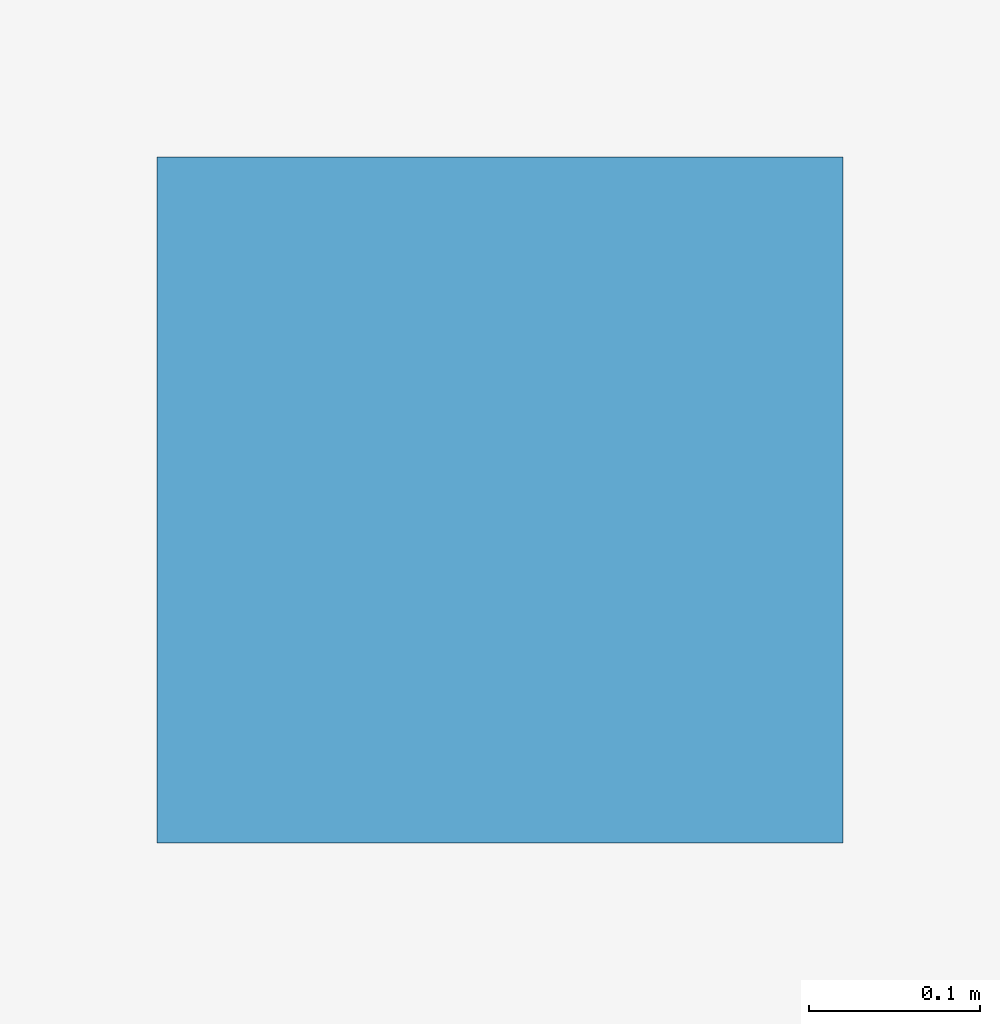
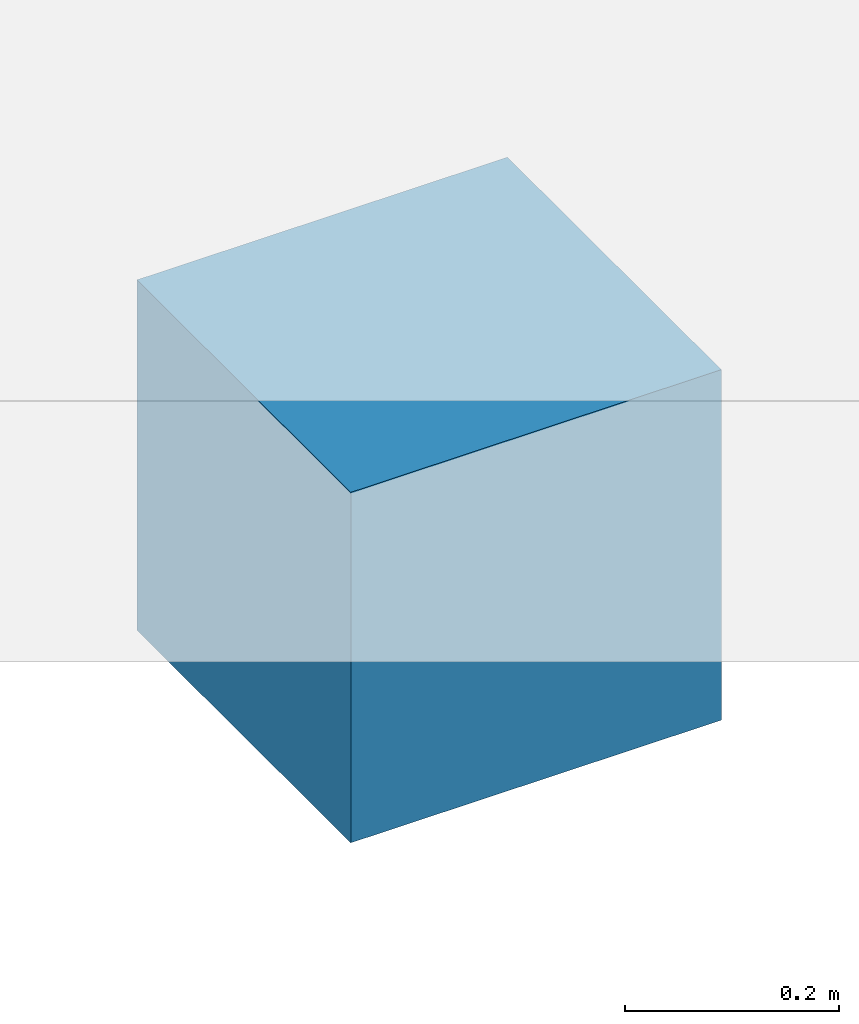
# One storey, part 8 of 108: 1 footing.
"""IFC4 building model written with IfcOpenShell, lengths in metres."""

from ifc_helpers import new_model, si_unit, direction, frame, origin, origin_2d, place, context, subcontext, project, spatial, rectangle, extrude, material, type_object, element, save


model = new_model("IFC4")

# Units and contexts
model_context = context("Model", 3, precision=1e-05, world=origin(), true_north=direction((0.0, 1.0)))
body_context = subcontext(model_context, "Body", "Model", "MODEL_VIEW")
ifc_project = project(units=[si_unit("LENGTHUNIT", "METRE"), si_unit("AREAUNIT", "SQUARE_METRE"), si_unit("VOLUMEUNIT", "CUBIC_METRE"), si_unit("PLANEANGLEUNIT", "RADIAN"), si_unit("MASSUNIT", "GRAM", prefix="KILO")], contexts=[model_context])

# Site, building, storey
site_placement = place(None, origin())
site = spatial("IfcSite", under=ifc_project, at=site_placement, CompositionType="ELEMENT")
building_placement = place(site_placement, origin())
building = spatial("IfcBuilding", under=site, at=building_placement, Name="Cresset Court Congress Hotel", CompositionType="ELEMENT")
storey_placement = place(building_placement, origin())
storey = spatial("IfcBuildingStorey", under=building, at=storey_placement, Name="L00", CompositionType="ELEMENT", Elevation=0.0)

# Footing
ifc_material = material(Name="Concrete C35", Category="concrete")
footing_type = type_object("IfcFootingType", Name="Support pad 400x400", PredefinedType="PAD_FOOTING", material=ifc_material)
footing_placement = place(storey_placement, frame((-1.89892578125, 120.931640625, -1.199951171875), z_axis=(0.0, 0.0, 1.0), x_axis=(1.0, 0.0, 0.0)))
element("IfcFooting", 1, at=footing_placement, inside=storey, type_object=footing_type, Name="Kerb pad W03.3", PredefinedType="PAD_FOOTING", context=body_context, shape_type="SweptSolid", body=[
    extrude(rectangle(XDim=0.39990234375, YDim=0.39990234375, at=origin_2d()), origin(), (0.0, 0.0, 1.0), 0.39990234375),
])

save(model, "model.ifc")
